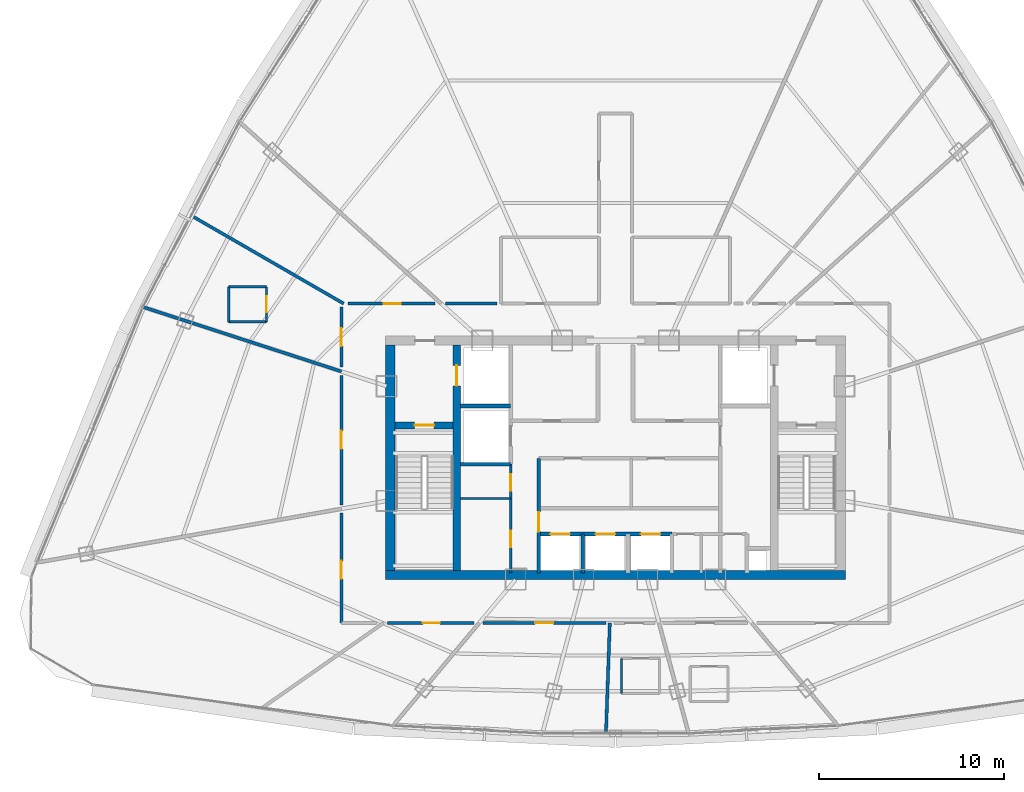
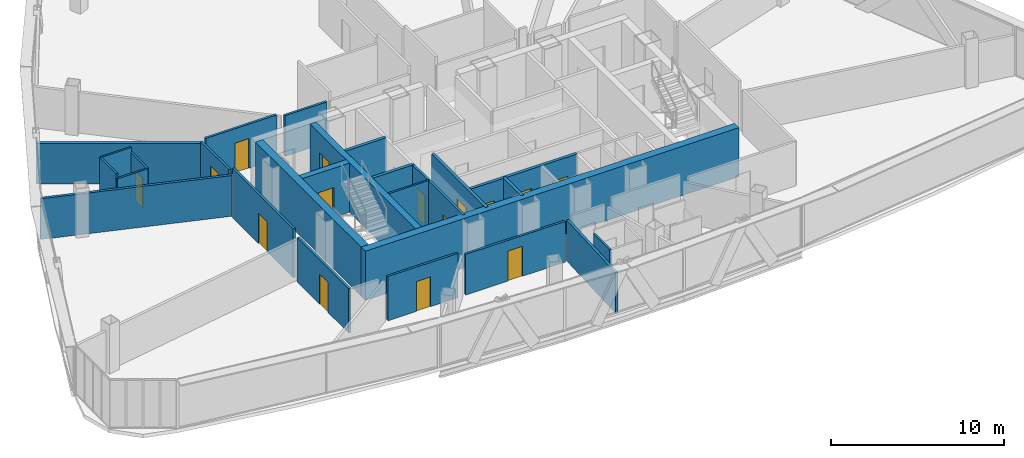
# One storey, part 34 of 40: 26 walls, 15 doors, 15 openings.
"""IFC4 building model written with IfcOpenShell, lengths in metres."""

from ifc_helpers import new_model, si_unit, direction, frame, frame_2d, origin, origin_with_axes, place, context, subcontext, project, spatial, rectangle, extrude, source, transform, mapped, material, layer, layer_set, type_object, element, fill, save


model = new_model("IFC4")

# Units and contexts
model_context = context("Model", 3, precision=1e-05, world=origin(), true_north=direction((0.0, 1.0)))
body_context = subcontext(model_context, "Body", "Model", "MODEL_VIEW")
ifc_project = project(units=[si_unit("LENGTHUNIT", "METRE"), si_unit("AREAUNIT", "SQUARE_METRE"), si_unit("VOLUMEUNIT", "CUBIC_METRE"), si_unit("PLANEANGLEUNIT", "RADIAN"), si_unit("MASSUNIT", "GRAM", prefix="KILO"), si_unit("THERMODYNAMICTEMPERATUREUNIT", "KELVIN"), si_unit("POWERUNIT", "WATT")], contexts=[model_context])

# Site, building, storey
site_placement = place(None, origin())
site = spatial("IfcSite", under=ifc_project, at=site_placement, CompositionType="ELEMENT")
building_placement = place(site_placement, origin())
building = spatial("IfcBuilding", under=site, at=building_placement, Name="Yunzhuo Pagoda Commons", CompositionType="ELEMENT")
storey_placement = place(building_placement, frame((0.0, 0.0, 292.47998046875)))
storey = spatial("IfcBuildingStorey", under=building, at=storey_placement, Name="L73", CompositionType="ELEMENT", Elevation=292.47998046875)

# Walls
ifc_material_1 = material(Name="Concrete C50", Category="concrete")
ifc_layer_1 = layer(ifc_material_1, 0.5)
ifc_layer_set_1 = layer_set([ifc_layer_1], Name="Concrete C50")
wall_type_1 = type_object("IfcWallType", Name="W-C03 Upper Core Shear Wall 500", PredefinedType="SHEAR", material=ifc_layer_set_1)
wall_1_placement = place(storey_placement, frame((35.550048828125, 27.5, 0.0), z_axis=(0.0, 0.0, 1.0), x_axis=(1.0, 0.0, 0.0)))
element("IfcWall", 1, at=wall_1_placement, inside=storey, type_object=wall_type_1, Name="L73 core shear wall S", PredefinedType="SHEAR", context=body_context, shape_type="SweptSolid", body=[
    extrude(rectangle(XDim=24.89990234375, YDim=0.5, at=frame_2d((12.449951171875, 0.0))), origin(), (0.0, 0.0, 1.0), 3.469970703125),
])
wall_2_placement = place(storey_placement, frame((35.800048828125, 27.75, 0.0), z_axis=(0.0, 0.0, 1.0), x_axis=(0.0, 1.0, 0.0)))
element("IfcWall", 2, at=wall_2_placement, inside=storey, type_object=wall_type_1, Name="L73 core shear wall W", PredefinedType="SHEAR", context=body_context, shape_type="SweptSolid", body=[
    extrude(rectangle(XDim=12.199951171875, YDim=0.5, at=frame_2d((6.10009765625, 0.0))), origin(), (0.0, 0.0, 1.0), 3.469970703125),
])

# Wall, openings, doors
ifc_material_2 = material(Name="Gypsum plasterboard on acoustic stud")
ifc_layer_2 = layer(ifc_material_2, 0.14990234375)
ifc_layer_set_2 = layer_set([ifc_layer_2], Name="Gypsum plasterboard on acoustic stud")
wall_type_2 = type_object("IfcWallType", Name="W-COR3 High-Zone Rated Corridor Wall 150", PredefinedType="PARTITIONING", material=ifc_layer_set_2)
wall_3_placement = place(storey_placement, frame((42.320068359375, 27.60009765625, 0.0), z_axis=(0.0, 0.0, 1.0), x_axis=(0.0, 1.0, 0.0)))
wall_3 = element("IfcWall", 3, at=wall_3_placement, inside=storey, type_object=wall_type_2, Name="L73 interior wall IW-L73-CSWE", PredefinedType="PARTITIONING", context=body_context, shape_type="SweptSolid", body=[
    extrude(rectangle(XDim=5.89990234375, YDim=0.14990234375, at=frame_2d((2.949951171875, 0.0))), origin(), (0.0, 0.0, 1.0), 3.469970703125),
])
opening_1_placement = place(wall_3_placement, frame((1.39990234375, 0.0, 0.0)))
opening_1 = element("IfcOpeningElement", 4, at=opening_1_placement, cuts=wall_3, Name="Opening D-03", PredefinedType="OPENING", context=body_context, shape_type="SweptSolid", body=[
    extrude(rectangle(XDim=0.89990234375, YDim=2.10009765625, at=frame_2d((0.449951171875, 1.050048828125))), frame((0.0, 0.0849609375, 0.0), z_axis=(0.0, -1.0, 0.0), x_axis=(1.0, 0.0, 0.0)), (0.0, 0.0, 1.0), 0.169921875),
])
opening_2_placement = place(wall_3_placement, frame((4.449951171875, 0.0, 0.0)))
opening_2 = element("IfcOpeningElement", 5, at=opening_2_placement, cuts=wall_3, Name="Opening D-03", PredefinedType="OPENING", context=body_context, shape_type="SweptSolid", body=[
    extrude(rectangle(XDim=0.89990234375, YDim=2.10009765625, at=frame_2d((0.449951171875, 1.050048828125))), frame((0.0, 0.0849609375, 0.0), z_axis=(0.0, -1.0, 0.0), x_axis=(1.0, 0.0, 0.0)), (0.0, 0.0, 1.0), 0.169921875),
])
ifc_material_3 = material(Name="Galvanized fire-resisting metal leaf")
door_type_1 = type_object("IfcDoorType", Name="D-03 Core Service Fire Door 900x2100", OperationType="NOTDEFINED", PredefinedType="DOOR", material=ifc_material_3)
shared_shape_1 = source(origin(), body_context, "Body", "SweptSolid", [
    extrude(rectangle(XDim=0.89990234375, YDim=2.10009765625, at=frame_2d((0.449951171875, 1.050048828125))), frame((0.0, 0.02490234375, 0.0), z_axis=(0.0, -1.0, 0.0), x_axis=(1.0, 0.0, 0.0)), (0.0, 0.0, 1.0), 0.050048828125),
])
door_1_placement = place(opening_1_placement, origin_with_axes())
door_1 = element("IfcDoor", 6, at=door_1_placement, inside=storey, type_object=door_type_1, Name="L73 service store door", OperationType="SINGLE_SWING_LEFT", OverallHeight=2.10009765625, OverallWidth=0.89990234375, PredefinedType="DOOR", context=body_context, shape_type="MappedRepresentation", body=[
    mapped(shared_shape_1, transform((0.0, 0.0, 0.0), scale=1.0)),
])
fill(opening_1, door_1)
door_2_placement = place(opening_2_placement, origin_with_axes())
door_2 = element("IfcDoor", 7, at=door_2_placement, inside=storey, type_object=door_type_1, Name="L73 switch closet door", OperationType="SINGLE_SWING_RIGHT", OverallHeight=2.10009765625, OverallWidth=0.89990234375, PredefinedType="DOOR", context=body_context, shape_type="MappedRepresentation", body=[
    mapped(shared_shape_1, transform((0.0, 0.0, 0.0), scale=1.0)),
])
fill(opening_2, door_2)

# Wall, opening, door
wall_4_placement = place(storey_placement, frame((33.14990234375, 24.89990234375, 0.0), z_axis=(0.0, 0.0, 1.0), x_axis=(0.0, 1.0, 0.0)))
wall_4 = element("IfcWall", 8, at=wall_4_placement, inside=storey, type_object=wall_type_2, Name="L73 interior wall IW-L73-CWL01", PredefinedType="PARTITIONING", context=body_context, shape_type="SweptSolid", body=[
    extrude(rectangle(XDim=5.958251953125, YDim=0.14990234375, at=frame_2d((2.97900390625, 0.0))), origin(), (0.0, 0.0, 1.0), 3.1201171875),
])
opening_3_placement = place(wall_4_placement, frame((2.3857421875, 0.0, 0.0)))
opening_3 = element("IfcOpeningElement", 9, at=opening_3_placement, cuts=wall_4, Name="Opening D-08", PredefinedType="OPENING", context=body_context, shape_type="SweptSolid", body=[
    extrude(rectangle(XDim=0.97998046875, YDim=2.1201171875, at=frame_2d((0.489990234375, 1.06005859375))), frame((0.0, 0.0849609375, 0.0), z_axis=(0.0, -1.0, 0.0), x_axis=(1.0, 0.0, 0.0)), (0.0, 0.0, 1.0), 0.169921875),
])
door_type_2 = type_object("IfcDoorType", Name="D-08 High-Zone Suite Entrance Fire Door 980x2120", OperationType="NOTDEFINED", PredefinedType="DOOR", material=ifc_material_3)
shared_shape_2 = source(origin(), body_context, "Body", "SweptSolid", [
    extrude(rectangle(XDim=0.97998046875, YDim=2.1201171875, at=frame_2d((0.489990234375, 1.06005859375))), frame((0.0, 0.02490234375, 0.0), z_axis=(0.0, -1.0, 0.0), x_axis=(1.0, 0.0, 0.0)), (0.0, 0.0, 1.0), 0.050048828125),
])
door_3_placement = place(opening_3_placement, origin_with_axes())
door_3 = element("IfcDoor", 10, at=door_3_placement, inside=storey, type_object=door_type_2, Name="L73 unit 09 entrance door", OperationType="SINGLE_SWING_RIGHT", OverallHeight=2.1201171875, OverallWidth=0.97998046875, PredefinedType="DOOR", context=body_context, shape_type="MappedRepresentation", body=[
    mapped(shared_shape_2, transform((0.0, 0.0, 0.0), scale=1.0)),
])
fill(opening_3, door_3)

wall_5_placement = place(storey_placement, frame((33.14990234375, 31.30126953125, 0.0), z_axis=(0.0, 0.0, 1.0), x_axis=(0.0, 1.0, 0.0)))
wall_5 = element("IfcWall", 11, at=wall_5_placement, inside=storey, type_object=wall_type_2, Name="L73 interior wall IW-L73-CWL02", PredefinedType="PARTITIONING", context=body_context, shape_type="SweptSolid", body=[
    extrude(rectangle(XDim=7.004150390625, YDim=0.14990234375, at=frame_2d((3.501953125, 0.0))), origin(), (0.0, 0.0, 1.0), 3.469970703125),
])
opening_4_placement = place(wall_5_placement, frame((3.027099609375, 0.0, 0.0)))
opening_4 = element("IfcOpeningElement", 12, at=opening_4_placement, cuts=wall_5, Name="Opening D-08", PredefinedType="OPENING", context=body_context, shape_type="SweptSolid", body=[
    extrude(rectangle(XDim=0.97998046875, YDim=2.1201171875, at=frame_2d((0.489990234375, 1.06005859375))), frame((0.0, 0.0849609375, 0.0), z_axis=(0.0, -1.0, 0.0), x_axis=(1.0, 0.0, 0.0)), (0.0, 0.0, 1.0), 0.169921875),
])
door_4_placement = place(opening_4_placement, origin_with_axes())
door_4 = element("IfcDoor", 13, at=door_4_placement, inside=storey, type_object=door_type_2, Name="L73 unit 08 entrance door", OperationType="SINGLE_SWING_LEFT", OverallHeight=2.1201171875, OverallWidth=0.97998046875, PredefinedType="DOOR", context=body_context, shape_type="MappedRepresentation", body=[
    mapped(shared_shape_2, transform((0.0, 0.0, 0.0), scale=1.0)),
])
fill(opening_4, door_4)

wall_6_placement = place(storey_placement, frame((33.14990234375, 38.75634765625, 0.0), z_axis=(0.0, 0.0, 1.0), x_axis=(0.0, 1.0, 0.0)))
wall_6 = element("IfcWall", 14, at=wall_6_placement, inside=storey, type_object=wall_type_2, Name="L73 interior wall IW-L73-CWL03", PredefinedType="PARTITIONING", context=body_context, shape_type="SweptSolid", body=[
    extrude(rectangle(XDim=3.26318359375, YDim=0.14990234375, at=frame_2d((1.631591796875, 0.0))), origin(), (0.0, 0.0, 1.0), 3.1201171875),
])
opening_5_placement = place(wall_6_placement, frame((1.140380859375, 0.0, 0.0)))
opening_5 = element("IfcOpeningElement", 15, at=opening_5_placement, cuts=wall_6, Name="Opening D-08", PredefinedType="OPENING", context=body_context, shape_type="SweptSolid", body=[
    extrude(rectangle(XDim=0.97998046875, YDim=2.1201171875, at=frame_2d((0.489990234375, 1.06005859375))), frame((0.0, 0.0849609375, 0.0), z_axis=(0.0, -1.0, 0.0), x_axis=(1.0, 0.0, 0.0)), (0.0, 0.0, 1.0), 0.169921875),
])
door_5_placement = place(opening_5_placement, origin_with_axes())
door_5 = element("IfcDoor", 16, at=door_5_placement, inside=storey, type_object=door_type_2, Name="L73 unit 07 entrance door", OperationType="SINGLE_SWING_RIGHT", OverallHeight=2.1201171875, OverallWidth=0.97998046875, PredefinedType="DOOR", context=body_context, shape_type="MappedRepresentation", body=[
    mapped(shared_shape_2, transform((0.0, 0.0, 0.0), scale=1.0)),
])
fill(opening_5, door_5)

wall_7_placement = place(storey_placement, frame((33.497314453125, 42.199951171875, 0.0), z_axis=(0.0, 0.0, 1.0), x_axis=(1.0, 0.0, 0.0)))
wall_7 = element("IfcWall", 17, at=wall_7_placement, inside=storey, type_object=wall_type_2, Name="L73 interior wall IW-L73-CWL04", PredefinedType="PARTITIONING", context=body_context, shape_type="SweptSolid", body=[
    extrude(rectangle(XDim=4.733642578125, YDim=0.14990234375, at=frame_2d((2.36669921875, 0.0))), origin(), (0.0, 0.0, 1.0), 3.1201171875),
])
opening_6_placement = place(wall_7_placement, frame((1.961181640625, 0.0, 0.0)))
opening_6 = element("IfcOpeningElement", 18, at=opening_6_placement, cuts=wall_7, Name="Opening D-04", PredefinedType="OPENING", context=body_context, shape_type="SweptSolid", body=[
    extrude(rectangle(XDim=0.919921875, YDim=2.10009765625, at=frame_2d((0.4599609375, 1.050048828125))), frame((0.0, 0.0849609375, 0.0), z_axis=(0.0, -1.0, 0.0), x_axis=(1.0, 0.0, 0.0)), (0.0, 0.0, 1.0), 0.169921875),
])
ifc_material_4 = material(Name="Powder-coated aluminium and timber acoustic leaf", Category="wood")
door_type_3 = type_object("IfcDoorType", Name="D-04 Bedroom & Study Interior Door 920x2100", OperationType="NOTDEFINED", PredefinedType="DOOR", material=ifc_material_4)
shared_shape_3 = source(origin(), body_context, "Body", "SweptSolid", [
    extrude(rectangle(XDim=0.919921875, YDim=2.10009765625, at=frame_2d((0.4599609375, 1.050048828125))), frame((0.0, 0.02490234375, 0.0), z_axis=(0.0, -1.0, 0.0), x_axis=(1.0, 0.0, 0.0)), (0.0, 0.0, 1.0), 0.050048828125),
])
door_6_placement = place(opening_6_placement, origin_with_axes())
door_6 = element("IfcDoor", 19, at=door_6_placement, inside=storey, type_object=door_type_3, Name="L73 seminar room 06 door", OperationType="SINGLE_SWING_LEFT", OverallHeight=2.10009765625, OverallWidth=0.919921875, PredefinedType="DOOR", context=body_context, shape_type="MappedRepresentation", body=[
    mapped(shared_shape_3, transform((0.0, 0.0, 0.0), scale=1.0)),
])
fill(opening_6, door_6)

# Wall
wall_8_placement = place(storey_placement, frame((38.779541015625, 42.199951171875, 0.0), z_axis=(0.0, 0.0, 1.0), x_axis=(1.0, 0.0, 0.0)))
element("IfcWall", 20, at=wall_8_placement, inside=storey, type_object=wall_type_2, Name="L73 interior wall IW-L73-CWL05", PredefinedType="PARTITIONING", context=body_context, shape_type="SweptSolid", body=[
    extrude(rectangle(XDim=2.800537109375, YDim=0.14990234375, at=frame_2d((1.400390625, 0.0))), origin(), (0.0, 0.0, 1.0), 2.8701171875),
])

# Wall, opening, door
wall_9_placement = place(storey_placement, frame((47.47265625, 24.89990234375, 0.0), z_axis=(0.0, 0.0, 1.0), x_axis=(-1.0, 0.0, 0.0)))
wall_9 = element("IfcWall", 21, at=wall_9_placement, inside=storey, type_object=wall_type_2, Name="L73 interior wall IW-L73-CWL18", PredefinedType="PARTITIONING", context=body_context, shape_type="SweptSolid", body=[
    extrude(rectangle(XDim=6.636962890625, YDim=0.14990234375, at=frame_2d((3.318359375, 0.0))), origin(), (0.0, 0.0, 1.0), 2.8701171875),
])
opening_7_placement = place(wall_9_placement, frame((2.84326171875, 0.0, 0.0)))
opening_7 = element("IfcOpeningElement", 22, at=opening_7_placement, cuts=wall_9, Name="Opening D-08", PredefinedType="OPENING", context=body_context, shape_type="SweptSolid", body=[
    extrude(rectangle(XDim=0.97998046875, YDim=2.1201171875, at=frame_2d((0.489990234375, 1.06005859375))), frame((0.0, 0.0849609375, 0.0), z_axis=(0.0, -1.0, 0.0), x_axis=(1.0, 0.0, 0.0)), (0.0, 0.0, 1.0), 0.169921875),
])
door_7_placement = place(opening_7_placement, origin_with_axes())
door_7 = element("IfcDoor", 23, at=door_7_placement, inside=storey, type_object=door_type_2, Name="L73 Resident Co-Living Commons Hall door", OperationType="SINGLE_SWING_RIGHT", OverallHeight=2.1201171875, OverallWidth=0.97998046875, PredefinedType="DOOR", context=body_context, shape_type="MappedRepresentation", body=[
    mapped(shared_shape_2, transform((0.0, 0.0, 0.0), scale=1.0)),
])
fill(opening_7, door_7)

wall_10_placement = place(storey_placement, frame((40.32861328125, 24.89990234375, 0.0), z_axis=(0.0, 0.0, 1.0), x_axis=(-1.0, 0.0, 0.0)))
wall_10 = element("IfcWall", 24, at=wall_10_placement, inside=storey, type_object=wall_type_2, Name="L73 interior wall IW-L73-CWL19", PredefinedType="PARTITIONING", context=body_context, shape_type="SweptSolid", body=[
    extrude(rectangle(XDim=4.676513671875, YDim=0.14990234375, at=frame_2d((2.33837890625, 0.0))), origin(), (0.0, 0.0, 1.0), 3.1201171875),
])
opening_8_placement = place(wall_10_placement, frame((1.844482421875, 0.0, 0.0)))
opening_8 = element("IfcOpeningElement", 25, at=opening_8_placement, cuts=wall_10, Name="Opening D-04", PredefinedType="OPENING", context=body_context, shape_type="SweptSolid", body=[
    extrude(rectangle(XDim=0.919921875, YDim=2.10009765625, at=frame_2d((0.4599609375, 1.050048828125))), frame((0.0, 0.0849609375, 0.0), z_axis=(0.0, -1.0, 0.0), x_axis=(1.0, 0.0, 0.0)), (0.0, 0.0, 1.0), 0.169921875),
])
door_8_placement = place(opening_8_placement, origin_with_axes())
door_8 = element("IfcDoor", 26, at=door_8_placement, inside=storey, type_object=door_type_3, Name="L73 fellow workroom 10 door", OperationType="SINGLE_SWING_LEFT", OverallHeight=2.10009765625, OverallWidth=0.919921875, PredefinedType="DOOR", context=body_context, shape_type="MappedRepresentation", body=[
    mapped(shared_shape_3, transform((0.0, 0.0, 0.0), scale=1.0)),
])
fill(opening_8, door_8)

# Walls
ifc_layer_3 = layer(ifc_material_2, 0.1201171875)
ifc_layer_set_3 = layer_set([ifc_layer_3], Name="Gypsum plasterboard on acoustic stud")
wall_type_3 = type_object("IfcWallType", Name="W-PRT1 Suite & Bathroom Partition 120", PredefinedType="PARTITIONING", material=ifc_layer_set_3)
wall_11_placement = place(storey_placement, frame((39.60009765625, 31.64990234375, 0.0), z_axis=(0.0, 0.0, 1.0), x_axis=(1.0, 0.0, 0.0)))
element("IfcWall", 27, at=wall_11_placement, inside=storey, type_object=wall_type_3, Name="L73 interior wall IW-L73-CD1", PredefinedType="PARTITIONING", context=body_context, shape_type="SweptSolid", body=[
    extrude(rectangle(XDim=2.719970703125, YDim=0.1201171875, at=frame_2d((1.35986328125, 0.0))), origin(), (0.0, 0.0, 1.0), 3.469970703125),
])
wall_12_placement = place(storey_placement, frame((27.0458984375, 41.212890625, 0.0), z_axis=(0.0, 0.0, 1.0), x_axis=(1.0, 0.0, 0.0)))
element("IfcWall", 28, at=wall_12_placement, inside=storey, type_object=wall_type_3, Name="L73 interior wall IW-L73-B07S", PredefinedType="PARTITIONING", context=body_context, shape_type="SweptSolid", body=[
    extrude(rectangle(XDim=2.050048828125, YDim=0.1201171875, at=frame_2d((1.02490234375, 0.0))), origin(), (0.0, 0.0, 1.0), 3.1201171875),
])

# Wall, opening, door
wall_13_placement = place(storey_placement, frame((29.095947265625, 41.212890625, 0.0), z_axis=(0.0, 0.0, 1.0), x_axis=(0.0, 1.0, 0.0)))
wall_13 = element("IfcWall", 29, at=wall_13_placement, inside=storey, type_object=wall_type_3, Name="L73 interior wall IW-L73-B07E", PredefinedType="PARTITIONING", context=body_context, shape_type="SweptSolid", body=[
    extrude(rectangle(XDim=1.900146484375, YDim=0.1201171875, at=frame_2d((0.9501953125, 0.0))), origin(), (0.0, 0.0, 1.0), 3.1201171875),
])
opening_9_placement = place(wall_13_placement, frame((0.52490234375, 0.0, 0.0)))
opening_9 = element("IfcOpeningElement", 30, at=opening_9_placement, cuts=wall_13, Name="Opening D-05", PredefinedType="OPENING", context=body_context, shape_type="SweptSolid", body=[
    extrude(rectangle(XDim=0.85009765625, YDim=2.10009765625, at=frame_2d((0.425048828125, 1.050048828125))), frame((0.0, 0.070068359375, 0.0), z_axis=(0.0, -1.0, 0.0), x_axis=(1.0, 0.0, 0.0)), (0.0, 0.0, 1.0), 0.14013671875),
])
door_type_4 = type_object("IfcDoorType", Name="D-05 En-Suite Bathroom Door 850x2100", OperationType="NOTDEFINED", PredefinedType="DOOR", material=ifc_material_4)
shared_shape_4 = source(origin(), body_context, "Body", "SweptSolid", [
    extrude(rectangle(XDim=0.85009765625, YDim=2.10009765625, at=frame_2d((0.425048828125, 1.050048828125))), frame((0.0, 0.02490234375, 0.0), z_axis=(0.0, -1.0, 0.0), x_axis=(1.0, 0.0, 0.0)), (0.0, 0.0, 1.0), 0.050048828125),
])
door_9_placement = place(opening_9_placement, frame((0.85009765625, 0.0, 0.0), z_axis=(0.0, 0.0, 1.0), x_axis=(-1.0, 0.0, 0.0)))
door_9 = element("IfcDoor", 31, at=door_9_placement, inside=storey, type_object=door_type_4, Name="L73 unit 07 bathroom door", OperationType="SINGLE_SWING_RIGHT", OverallHeight=2.10009765625, OverallWidth=0.85009765625, PredefinedType="DOOR", context=body_context, shape_type="MappedRepresentation", body=[
    mapped(shared_shape_4, transform((0.0, 0.0, 0.0), scale=1.0)),
])
fill(opening_9, door_9)

# Walls
wall_14_placement = place(storey_placement, frame((29.095947265625, 43.113037109375, 0.0), z_axis=(0.0, 0.0, 1.0), x_axis=(-1.0, 0.0, 0.0)))
element("IfcWall", 32, at=wall_14_placement, inside=storey, type_object=wall_type_3, Name="L73 interior wall IW-L73-B07N", PredefinedType="PARTITIONING", context=body_context, shape_type="SweptSolid", body=[
    extrude(rectangle(XDim=2.050048828125, YDim=0.1201171875, at=frame_2d((1.02490234375, 0.0))), origin(), (0.0, 0.0, 1.0), 3.469970703125),
])
wall_15_placement = place(storey_placement, frame((27.0458984375, 43.113037109375, 0.0), z_axis=(0.0, 0.0, 1.0), x_axis=(0.0, -1.0, 0.0)))
element("IfcWall", 33, at=wall_15_placement, inside=storey, type_object=wall_type_3, Name="L73 interior wall IW-L73-B07W", PredefinedType="PARTITIONING", context=body_context, shape_type="SweptSolid", body=[
    extrude(rectangle(XDim=1.900146484375, YDim=0.1201171875, at=frame_2d((0.9501953125, 0.0))), origin(), (0.0, 0.0, 1.0), 3.469970703125),
])
wall_16_placement = place(storey_placement, frame((48.3310546875, 22.97509765625, 0.0), z_axis=(0.0, 0.0, 1.0), x_axis=(0.0, -1.0, 0.0)))
element("IfcWall", 34, at=wall_16_placement, inside=storey, type_object=wall_type_3, Name="L73 interior wall IW-L73-B12W", PredefinedType="PARTITIONING", context=body_context, shape_type="SweptSolid", body=[
    extrude(rectangle(XDim=1.900146484375, YDim=0.1201171875, at=frame_2d((0.9501953125, 0.0))), origin(), (0.0, 0.0, 1.0), 2.8701171875),
])
ifc_layer_4 = layer(ifc_material_2, 0.169921875)
ifc_layer_set_4 = layer_set([ifc_layer_4], Name="Gypsum plasterboard on acoustic stud")
wall_type_4 = type_object("IfcWallType", Name="W-PRT4 High-Zone Demising Wall 170", PredefinedType="PARTITIONING", material=ifc_layer_set_4)
wall_17_placement = place(storey_placement, frame((33.277587890625, 42.199951171875, 0.0), z_axis=(0.0, 0.0, 1.0), x_axis=(-0.866033492747, 0.499985989244, 0.0)))
element("IfcWall", 35, at=wall_17_placement, inside=storey, type_object=wall_type_4, Name="L73 interior wall IW-L73-RAD06", PredefinedType="PARTITIONING", context=body_context, shape_type="SweptSolid", body=[
    extrude(rectangle(XDim=9.569580078125, YDim=0.169921875, at=frame_2d((4.78466796875, 0.0))), origin(), (0.0, 0.0, 1.0), 2.8701171875),
])
wall_18_placement = place(storey_placement, frame((33.14990234375, 38.525146484375, 0.0), z_axis=(0.0, 0.0, 1.0), x_axis=(-0.951060099206, 0.309005967092, 0.0)))
element("IfcWall", 36, at=wall_18_placement, inside=storey, type_object=wall_type_4, Name="L73 interior wall IW-L73-RAD07", PredefinedType="PARTITIONING", context=body_context, shape_type="SweptSolid", body=[
    extrude(rectangle(XDim=11.30224609375, YDim=0.169921875, at=frame_2d((5.651123046875, 0.0))), origin(), (0.0, 0.0, 1.0), 2.8701171875),
])
wall_19_placement = place(storey_placement, frame((47.692626953125, 24.89990234375, 0.0), z_axis=(0.0, 0.0, 1.0), x_axis=(-0.034912666906, -0.999390367019, 0.0)))
element("IfcWall", 37, at=wall_19_placement, inside=storey, type_object=wall_type_4, Name="L73 interior wall IW-L73-RAD11", PredefinedType="PARTITIONING", context=body_context, shape_type="SweptSolid", body=[
    extrude(rectangle(XDim=5.992919921875, YDim=0.169921875, at=frame_2d((2.99658203125, 0.0))), origin(), (0.0, 0.0, 1.0), 2.8701171875),
])

# Wall, opening, door
ifc_material_5 = material(Name="Concrete C60", Category="concrete")
ifc_layer_5 = layer(ifc_material_5, 0.39990234375)
ifc_layer_set_5 = layer_set([ifc_layer_5], Name="Concrete C60")
wall_type_5 = type_object("IfcWallType", Name="W-S01 Internal Core Shear Web 400", PredefinedType="SHEAR", material=ifc_layer_set_5)
wall_20_placement = place(storey_placement, frame((39.39990234375, 27.75, 0.0), z_axis=(0.0, 0.0, 1.0), x_axis=(0.0, 1.0, 0.0)))
wall_20 = element("IfcWall", 38, at=wall_20_placement, inside=storey, type_object=wall_type_5, Name="L73 core shear wall WEBW", PredefinedType="SHEAR", context=body_context, shape_type="SweptSolid", body=[
    extrude(rectangle(XDim=12.199951171875, YDim=0.39990234375, at=frame_2d((6.10009765625, 0.0))), origin(), (0.0, 0.0, 1.0), 3.469970703125),
])
opening_10_placement = place(wall_20_placement, frame((10.0, 0.0, 0.0)))
opening_10 = element("IfcOpeningElement", 39, at=opening_10_placement, cuts=wall_20, Name="Opening LD-01", PredefinedType="OPENING", context=body_context, shape_type="SweptSolid", body=[
    extrude(rectangle(XDim=1.10009765625, YDim=2.10009765625, at=frame_2d((0.550048828125, 1.050048828125))), frame((0.0, 0.2099609375, 0.0), z_axis=(0.0, -1.0, 0.0), x_axis=(1.0, 0.0, 0.0)), (0.0, 0.0, 1.0), 0.419921875),
])
door_type_5 = type_object("IfcDoorType", Name="LD-01 Firefighting Lift Landing Door 1100x2100", OperationType="DOUBLE_DOOR_SLIDING", PredefinedType="DOOR", material=ifc_material_3)
shared_shape_5 = source(origin(), body_context, "Body", "SweptSolid", [
    extrude(rectangle(XDim=1.10009765625, YDim=2.10009765625, at=frame_2d((0.550048828125, 1.050048828125))), frame((0.0, 0.02490234375, 0.0), z_axis=(0.0, -1.0, 0.0), x_axis=(1.0, 0.0, 0.0)), (0.0, 0.0, 1.0), 0.050048828125),
])
door_10_placement = place(opening_10_placement, frame((1.10009765625, 0.0, 0.0), z_axis=(0.0, 0.0, 1.0), x_axis=(-1.0, 0.0, 0.0)))
door_10 = element("IfcDoor", 40, at=door_10_placement, inside=storey, type_object=door_type_5, Name="L73 Firefighting lift FL-1 landing door", OperationType="DOUBLE_DOOR_SLIDING", OverallHeight=2.10009765625, OverallWidth=1.10009765625, PredefinedType="DOOR", context=body_context, shape_type="MappedRepresentation", body=[
    mapped(shared_shape_5, transform((0.0, 0.0, 0.0), scale=1.0)),
])
fill(opening_10, door_10)

wall_21_placement = place(storey_placement, frame((36.050048828125, 35.60009765625, 0.0), z_axis=(0.0, 0.0, 1.0), x_axis=(1.0, 0.0, 0.0)))
wall_21 = element("IfcWall", 41, at=wall_21_placement, inside=storey, type_object=wall_type_5, Name="L73 core shear wall STW", PredefinedType="SHEAR", context=body_context, shape_type="SweptSolid", body=[
    extrude(rectangle(XDim=3.14990234375, YDim=0.39990234375, at=frame_2d((1.574951171875, 0.0))), origin(), (0.0, 0.0, 1.0), 3.469970703125),
])
opening_11_placement = place(wall_21_placement, frame((1.070068359375, 0.0, 0.0)))
opening_11 = element("IfcOpeningElement", 42, at=opening_11_placement, cuts=wall_21, Name="Opening D-01", PredefinedType="OPENING", context=body_context, shape_type="SweptSolid", body=[
    extrude(rectangle(XDim=1.050048828125, YDim=2.10009765625, at=frame_2d((0.52490234375, 1.050048828125))), frame((0.0, 0.2099609375, 0.0), z_axis=(0.0, -1.0, 0.0), x_axis=(1.0, 0.0, 0.0)), (0.0, 0.0, 1.0), 0.419921875),
])
door_type_6 = type_object("IfcDoorType", Name="D-01 Smokeproof Stair Fire Door 1050x2100", OperationType="NOTDEFINED", PredefinedType="DOOR", material=ifc_material_3)
shared_shape_6 = source(origin(), body_context, "Body", "SweptSolid", [
    extrude(rectangle(XDim=1.050048828125, YDim=2.10009765625, at=frame_2d((0.52490234375, 1.050048828125))), frame((0.0, 0.02490234375, 0.0), z_axis=(0.0, -1.0, 0.0), x_axis=(1.0, 0.0, 0.0)), (0.0, 0.0, 1.0), 0.050048828125),
])
door_11_placement = place(opening_11_placement, frame((1.050048828125, 0.0, 0.0), z_axis=(0.0, 0.0, 1.0), x_axis=(-1.0, 0.0, 0.0)))
door_11 = element("IfcDoor", 43, at=door_11_placement, inside=storey, type_object=door_type_6, Name="L73 Stair ST1 fire door", OperationType="SINGLE_SWING_LEFT", OverallHeight=2.10009765625, OverallWidth=1.050048828125, PredefinedType="DOOR", context=body_context, shape_type="MappedRepresentation", body=[
    mapped(shared_shape_6, transform((0.0, 0.0, 0.0), scale=1.0)),
])
fill(opening_11, door_11)

# Walls
ifc_material_6 = material(Name="Concrete C40", Category="concrete")
ifc_layer_6 = layer(ifc_material_6, 0.199951171875)
ifc_layer_set_6 = layer_set([ifc_layer_6], Name="Concrete C40")
wall_type_6 = type_object("IfcWallType", Name="W-SHF Shaft & Stair Enclosure Wall 200", PredefinedType="SOLIDWALL", material=ifc_layer_set_6)
for number, where, z_axis, x_axis, name in (
    (44, (39.60009765625, 36.64990234375, 0.0), (0.0, 0.0, 1.0), (1.0, 0.0, 0.0), "L73 interior wall IW-L73-FL1S"),
    (45, (39.60009765625, 33.5, 0.0), (0.0, 0.0, 1.0), (1.0, 0.0, 0.0), "L73 interior wall IW-L73-SL1S"),
):
    element("IfcWall", number, at=place(storey_placement, frame(where, z_axis=z_axis, x_axis=x_axis)), inside=storey, type_object=wall_type_6, Name=name, PredefinedType="SOLIDWALL", context=body_context, shape_type="SweptSolid", body=[
        extrude(rectangle(XDim=2.719970703125, YDim=0.199951171875, at=frame_2d((1.35986328125, 0.0))), origin(), (0.0, 0.0, 1.0), 3.469970703125),
    ])

# Wall, opening, door
wall_22_placement = place(storey_placement, frame((43.85009765625, 27.60009765625, 0.0), z_axis=(0.0, 0.0, 1.0), x_axis=(0.0, 1.0, 0.0)))
wall_22 = element("IfcWall", 46, at=wall_22_placement, inside=storey, type_object=wall_type_6, Name="L73 interior wall IW-L73-PLMW", PredefinedType="SOLIDWALL", context=body_context, shape_type="SweptSolid", body=[
    extrude(rectangle(XDim=6.219970703125, YDim=0.199951171875, at=frame_2d((3.10986328125, 0.0))), origin(), (0.0, 0.0, 1.0), 3.469970703125),
])
opening_12_placement = place(wall_22_placement, frame((2.25, 0.0, 0.0)))
opening_12 = element("IfcOpeningElement", 47, at=opening_12_placement, cuts=wall_22, Name="Opening D-02", PredefinedType="OPENING", context=body_context, shape_type="SweptSolid", body=[
    extrude(rectangle(XDim=1.050048828125, YDim=2.10009765625, at=frame_2d((0.52490234375, 1.050048828125))), frame((0.0, 0.10986328125, 0.0), z_axis=(0.0, -1.0, 0.0), x_axis=(1.0, 0.0, 0.0)), (0.0, 0.0, 1.0), 0.219970703125),
])
door_type_7 = type_object("IfcDoorType", Name="D-02 Firefighting Lobby & Refuge Fire Door 1050x2100", OperationType="NOTDEFINED", PredefinedType="DOOR", material=ifc_material_3)
door_12_placement = place(opening_12_placement, frame((1.050048828125, 0.0, 0.0), z_axis=(0.0, 0.0, 1.0), x_axis=(-1.0, 0.0, 0.0)))
door_12 = element("IfcDoor", 48, at=door_12_placement, inside=storey, type_object=door_type_7, Name="L73 High-bank hall west door", OperationType="SINGLE_SWING_LEFT", OverallHeight=2.10009765625, OverallWidth=1.050048828125, PredefinedType="DOOR", context=body_context, shape_type="MappedRepresentation", body=[
    mapped(shared_shape_6, transform((0.0, 0.0, 0.0), scale=1.0)),
])
fill(opening_12, door_12)

# Wall, openings, doors
wall_23_placement = place(storey_placement, frame((43.85009765625, 29.719970703125, 0.0), z_axis=(0.0, 0.0, 1.0), x_axis=(1.0, 0.0, 0.0)))
wall_23 = element("IfcWall", 49, at=wall_23_placement, inside=storey, type_object=wall_type_6, Name="L73 interior wall IW-L73-PLHN", PredefinedType="SOLIDWALL", context=body_context, shape_type="SweptSolid", body=[
    extrude(rectangle(XDim=7.199951171875, YDim=0.199951171875, at=frame_2d((3.60009765625, 0.0))), origin(), (0.0, 0.0, 1.0), 3.469970703125),
])
opening_13_placement = place(wall_23_placement, frame((0.625, 0.0, 0.0)))
opening_13 = element("IfcOpeningElement", 50, at=opening_13_placement, cuts=wall_23, Name="Opening LD-02", PredefinedType="OPENING", context=body_context, shape_type="SweptSolid", body=[
    extrude(rectangle(XDim=1.050048828125, YDim=2.10009765625, at=frame_2d((0.52490234375, 1.050048828125))), frame((0.0, 0.10986328125, 0.0), z_axis=(0.0, -1.0, 0.0), x_axis=(1.0, 0.0, 0.0)), (0.0, 0.0, 1.0), 0.219970703125),
])
opening_14_placement = place(wall_23_placement, frame((3.074951171875, 0.0, 0.0)))
opening_14 = element("IfcOpeningElement", 51, at=opening_14_placement, cuts=wall_23, Name="Opening LD-02", PredefinedType="OPENING", context=body_context, shape_type="SweptSolid", body=[
    extrude(rectangle(XDim=1.050048828125, YDim=2.10009765625, at=frame_2d((0.52490234375, 1.050048828125))), frame((0.0, 0.10986328125, 0.0), z_axis=(0.0, -1.0, 0.0), x_axis=(1.0, 0.0, 0.0)), (0.0, 0.0, 1.0), 0.219970703125),
])
opening_15_placement = place(wall_23_placement, frame((5.52490234375, 0.0, 0.0)))
opening_15 = element("IfcOpeningElement", 52, at=opening_15_placement, cuts=wall_23, Name="Opening LD-02", PredefinedType="OPENING", context=body_context, shape_type="SweptSolid", body=[
    extrude(rectangle(XDim=1.050048828125, YDim=2.10009765625, at=frame_2d((0.52490234375, 1.050048828125))), frame((0.0, 0.10986328125, 0.0), z_axis=(0.0, -1.0, 0.0), x_axis=(1.0, 0.0, 0.0)), (0.0, 0.0, 1.0), 0.219970703125),
])
door_type_8 = type_object("IfcDoorType", Name="LD-02 Passenger Lift Landing Door 1050x2100", OperationType="DOUBLE_DOOR_SLIDING", PredefinedType="DOOR", material=ifc_material_3)
door_13_placement = place(opening_13_placement, origin_with_axes())
door_13 = element("IfcDoor", 53, at=door_13_placement, inside=storey, type_object=door_type_8, Name="L73 Passenger lift PL-H1 landing door", OperationType="DOUBLE_DOOR_SLIDING", OverallHeight=2.10009765625, OverallWidth=1.050048828125, PredefinedType="DOOR", context=body_context, shape_type="MappedRepresentation", body=[
    mapped(shared_shape_6, transform((0.0, 0.0, 0.0), scale=1.0)),
])
fill(opening_13, door_13)
door_14_placement = place(opening_14_placement, origin_with_axes())
door_14 = element("IfcDoor", 54, at=door_14_placement, inside=storey, type_object=door_type_8, Name="L73 Passenger lift PL-H2 landing door", OperationType="DOUBLE_DOOR_SLIDING", OverallHeight=2.10009765625, OverallWidth=1.050048828125, PredefinedType="DOOR", context=body_context, shape_type="MappedRepresentation", body=[
    mapped(shared_shape_6, transform((0.0, 0.0, 0.0), scale=1.0)),
])
fill(opening_14, door_14)
door_15_placement = place(opening_15_placement, origin_with_axes())
door_15 = element("IfcDoor", 55, at=door_15_placement, inside=storey, type_object=door_type_8, Name="L73 Passenger lift PL-H3 landing door", OperationType="DOUBLE_DOOR_SLIDING", OverallHeight=2.10009765625, OverallWidth=1.050048828125, PredefinedType="DOOR", context=body_context, shape_type="MappedRepresentation", body=[
    mapped(shared_shape_6, transform((0.0, 0.0, 0.0), scale=1.0)),
])
fill(opening_15, door_15)

# Wall
wall_24_placement = place(storey_placement, frame((46.22509765625, 27.60009765625, 0.0), z_axis=(0.0, 0.0, 1.0), x_axis=(0.0, 1.0, 0.0)))
element("IfcWall", 56, at=wall_24_placement, inside=storey, type_object=wall_type_6, Name="L73 interior wall IW-L73-PLHD1", PredefinedType="SOLIDWALL", context=body_context, shape_type="SweptSolid", body=[
    extrude(rectangle(XDim=2.119873046875, YDim=0.199951171875, at=frame_2d((1.06005859375, 0.0))), origin(), (0.0, 0.0, 1.0), 3.469970703125),
])

save(model, "model.ifc")
